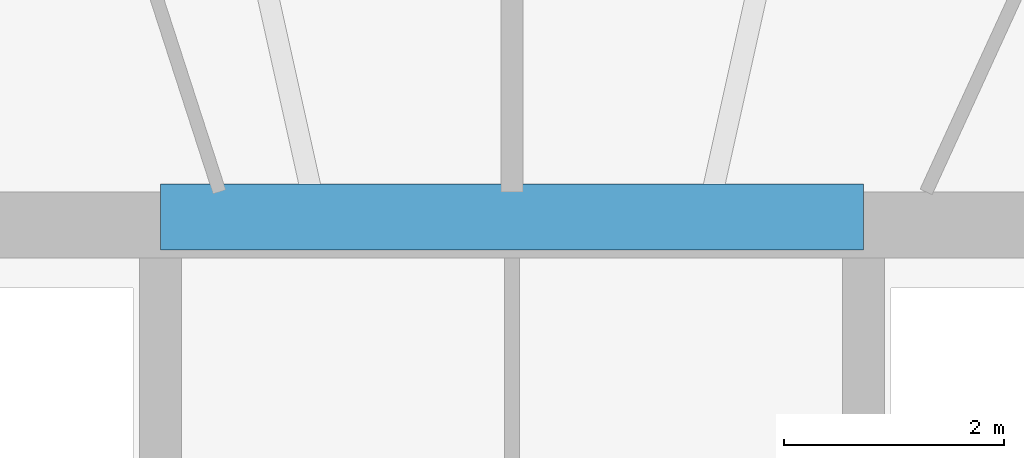
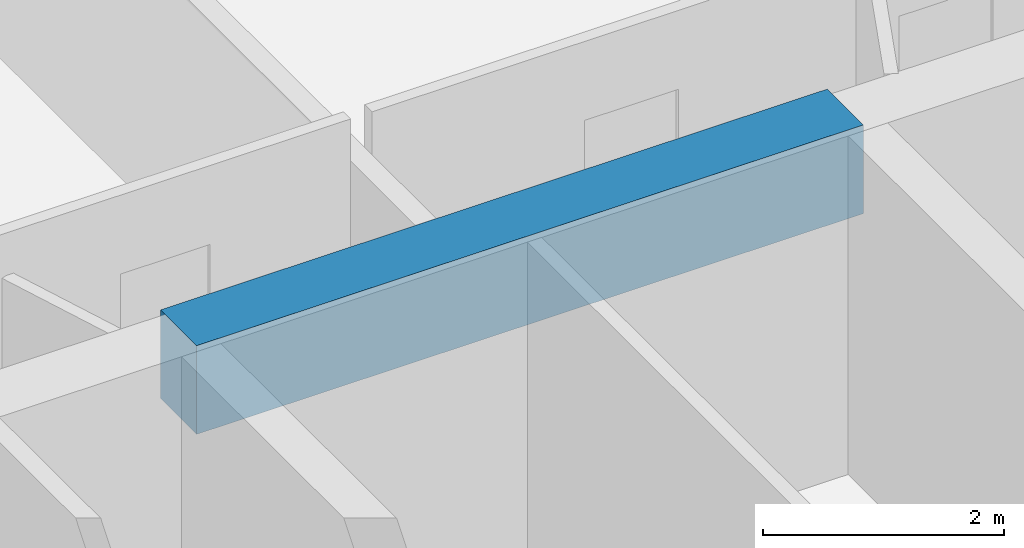
# One storey, part 9 of 26: 1 beam.
"""IFC4 building model written with IfcOpenShell, lengths in metres."""

from ifc_helpers import new_model, si_unit, direction, frame, origin, origin_2d, place, context, subcontext, project, spatial, rectangle, extrude, material, material_profile, profile_set, type_object, element, save


model = new_model("IFC4")

# Units and contexts
model_context = context("Model", 3, precision=1e-05, world=origin(), true_north=direction((-0.2419218956, 0.970295726276)))
body_context = subcontext(model_context, "Body", "Model", "MODEL_VIEW")
ifc_project = project(units=[si_unit("LENGTHUNIT", "METRE"), si_unit("AREAUNIT", "SQUARE_METRE"), si_unit("VOLUMEUNIT", "CUBIC_METRE"), si_unit("PLANEANGLEUNIT", "RADIAN"), si_unit("MASSUNIT", "GRAM", prefix="KILO")], contexts=[model_context])

# Site, building, storey
site_placement = place(None, origin())
site = spatial("IfcSite", under=ifc_project, at=site_placement, CompositionType="ELEMENT")
building_placement = place(site_placement, origin())
building = spatial("IfcBuilding", under=site, at=building_placement, Name="Cobrevalo Terracotta Tower", CompositionType="ELEMENT")
storey_placement = place(building_placement, frame((0.0, 0.0, 209.699951171875)))
storey = spatial("IfcBuildingStorey", under=building, at=storey_placement, Name="L55", CompositionType="ELEMENT", Elevation=209.699951171875)

# Beam
ifc_material = material(Name="Concrete C60", Category="concrete")
ifc_material_profile = material_profile(ifc_material, rectangle(XDim=0.60009765625, YDim=0.89990234375, at=origin_2d()), Name="RC CB 600x900")
ifc_profile_set = profile_set([ifc_material_profile], Name="Concrete C60")
beam_type = type_object("IfcBeamType", Name="Structural Beam RC CB 600x900 (Concrete C60)", PredefinedType="BEAM", material=ifc_profile_set)
beam_placement = place(storey_placement, frame((34.800048828125, 34.800048828125, 2.985107421875), z_axis=(1.0, 0.0, 0.0), x_axis=(0.0, 1.0, 0.0)))
element("IfcBeam", 1, at=beam_placement, inside=storey, type_object=beam_type, Name="L55 core coupling beam 2", PredefinedType="BEAM", context=body_context, shape_type="SweptSolid", body=[
    extrude(rectangle(XDim=0.60009765625, YDim=0.89990234375, at=origin_2d()), origin(), (0.0, 0.0, 1.0), 6.39990234375),
])

save(model, "model.ifc")
